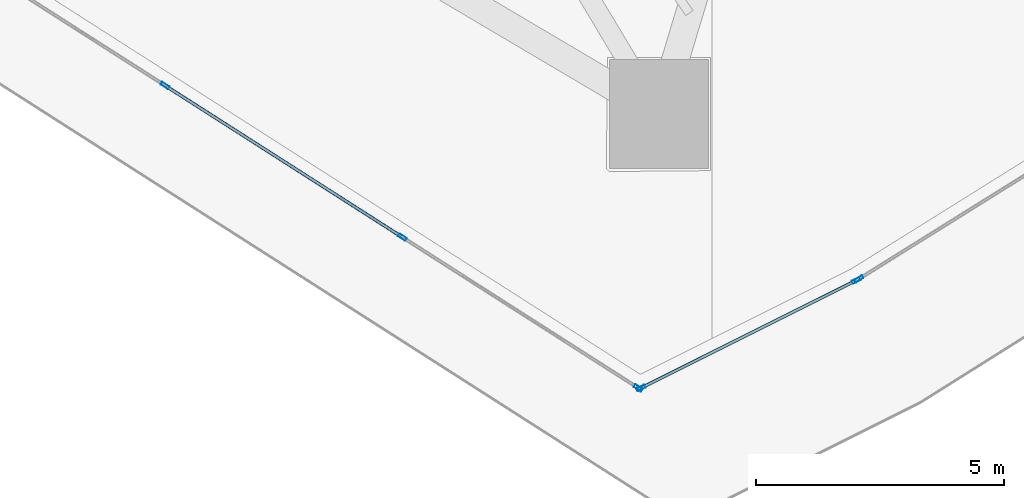
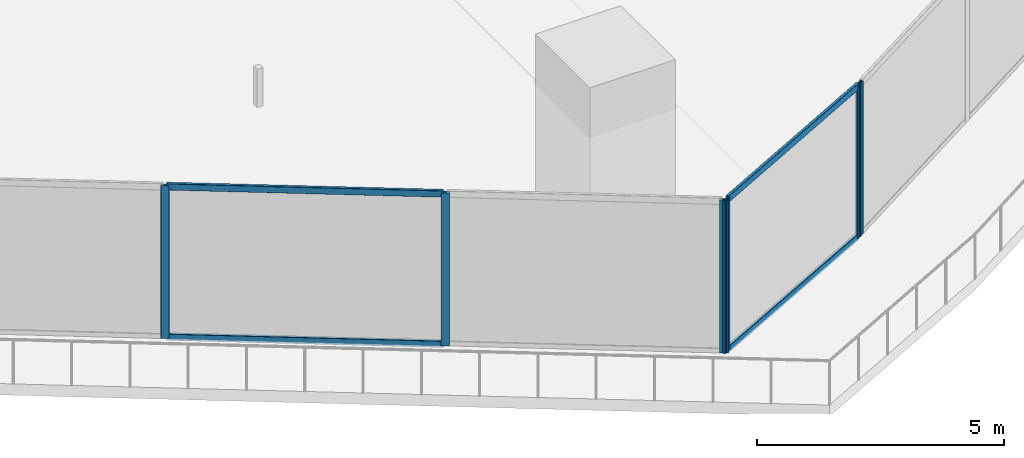
# One storey, part 6 of 35: 10 members, 3 elements without a shape of their own.
"""IFC4 building model written with IfcOpenShell, lengths in metres."""

from ifc_helpers import new_model, si_unit, direction, frame, origin, origin_2d, place, context, subcontext, project, spatial, hollow_rectangle, extrude, material, layer, layer_set, material_profile, profile_set, type_object, element, aggregate, save


model = new_model("IFC4")

# Units and contexts
model_context = context("Model", 3, precision=1e-05, world=origin(), true_north=direction((0.0, 1.0)))
body_context = subcontext(model_context, "Body", "Model", "MODEL_VIEW")
ifc_project = project(units=[si_unit("LENGTHUNIT", "METRE"), si_unit("AREAUNIT", "SQUARE_METRE"), si_unit("VOLUMEUNIT", "CUBIC_METRE"), si_unit("PLANEANGLEUNIT", "RADIAN"), si_unit("MASSUNIT", "GRAM", prefix="KILO")], contexts=[model_context])

# Site, building, storey
site_placement = place(None, origin())
site = spatial("IfcSite", under=ifc_project, at=site_placement, CompositionType="ELEMENT")
building_placement = place(site_placement, origin())
building = spatial("IfcBuilding", under=site, at=building_placement, Name="Qorvath Tower", CompositionType="ELEMENT")
storey_placement = place(building_placement, frame((0.0, 0.0, 130.050048828125)))
storey = spatial("IfcBuildingStorey", under=building, at=storey_placement, Name="L29", CompositionType="ELEMENT", Elevation=130.050048828125)

# Curtain wall, members
ifc_material_1 = material(Name="Anodised aluminium and triple low-E glass", Category="aluminium")
ifc_layer = layer(ifc_material_1, 0.179931640625)
ifc_layer_set = layer_set([ifc_layer], Name="CW-SYS-2")
curtain_wall_type = type_object("IfcCurtainWallType", Name="CW-SYS-2", PredefinedType="NOTDEFINED", material=ifc_layer_set)
curtain_wall_1_placement = place(storey_placement, origin())
curtain_wall_1 = element("IfcCurtainWall", 1, at=curtain_wall_1_placement, inside=storey, type_object=curtain_wall_type, Name="Curtain Wall CW-2 CW-T-L29-2.2", PredefinedType="NOTDEFINED")
ifc_material_2 = material(Name="Anodised aluminium 6063-T6", Category="aluminium")
ifc_material_profile_1 = material_profile(ifc_material_2, hollow_rectangle(XDim=0.06494140625, YDim=0.179931640625, WallThickness=0.00341796875, InnerFilletRadius=0.00341796875, OuterFilletRadius=0.007080078125, at=origin_2d()), Name="CWM 180x65")
ifc_profile_set_1 = profile_set([ifc_material_profile_1], Name="Anodised aluminium 6063-T6")
member_type_1 = type_object("IfcMemberType", Name="CWM-180", PredefinedType="MULLION", material=ifc_profile_set_1)
member_1_placement = place(storey_placement, frame((-25.30908203125, -24.671630859375, 0.0), z_axis=(0.0, 0.0, 1.0), x_axis=(0.538536165559, 0.84260239638, 0.0)))
member_1 = element("IfcMember", 2, at=member_1_placement, type_object=member_type_1, Name="CW-2 mullion 3", PredefinedType="MULLION", context=body_context, shape_type="SweptSolid", body=[
    extrude(hollow_rectangle(XDim=0.06494140625, YDim=0.179931640625, WallThickness=0.00341796875, InnerFilletRadius=0.00341796875, OuterFilletRadius=0.007080078125, at=origin_2d()), origin(), (0.0, 0.0, 1.0), 3.780029296875),
])
member_2_placement = place(storey_placement, frame((-20.52294921875, -27.73046875, 0.0), z_axis=(0.0, 0.0, 1.0), x_axis=(0.538536165559, 0.84260239638, 0.0)))
member_2 = element("IfcMember", 3, at=member_2_placement, type_object=member_type_1, Name="CW-2 mullion 4", PredefinedType="MULLION", context=body_context, shape_type="SweptSolid", body=[
    extrude(hollow_rectangle(XDim=0.06494140625, YDim=0.179931640625, WallThickness=0.00341796875, InnerFilletRadius=0.00341796875, OuterFilletRadius=0.007080078125, at=origin_2d()), origin(), (0.0, 0.0, 1.0), 3.780029296875),
])
member_3_placement = place(storey_placement, frame((-15.76416015625, -30.772216796875, 0.0), z_axis=(0.0, 0.0, 1.0), x_axis=(0.538536165559, 0.84260239638, 0.0)))
member_3 = element("IfcMember", 4, at=member_3_placement, type_object=member_type_1, Name="CW-2 mullion 5", PredefinedType="MULLION", context=body_context, shape_type="SweptSolid", body=[
    extrude(hollow_rectangle(XDim=0.06494140625, YDim=0.179931640625, WallThickness=0.00341796875, InnerFilletRadius=0.00341796875, OuterFilletRadius=0.007080078125, at=origin_2d()), origin(), (0.0, 0.0, 1.0), 3.780029296875),
])

curtain_wall_2_placement = place(storey_placement, origin())
curtain_wall_2 = element("IfcCurtainWall", 5, at=curtain_wall_2_placement, inside=storey, type_object=curtain_wall_type, Name="Curtain Wall CW-2 CW-T-L29-3.1", PredefinedType="NOTDEFINED")
member_4_placement = place(storey_placement, frame((-15.707763671875, -30.775146484375, 0.0), z_axis=(0.0, 0.0, 1.0), x_axis=(-0.447262398188, 0.894402787992, 0.0)))
member_4 = element("IfcMember", 6, at=member_4_placement, type_object=member_type_1, Name="CW-2 mullion 1", PredefinedType="MULLION", context=body_context, shape_type="SweptSolid", body=[
    extrude(hollow_rectangle(XDim=0.06494140625, YDim=0.179931640625, WallThickness=0.00341796875, InnerFilletRadius=0.00341796875, OuterFilletRadius=0.007080078125, at=origin_2d()), origin(), (0.0, 0.0, 1.0), 3.780029296875),
])
member_5_placement = place(storey_placement, frame((-11.367431640625, -28.604736328125, 0.0), z_axis=(0.0, 0.0, 1.0), x_axis=(-0.447262398188, 0.894402787992, 0.0)))
member_5 = element("IfcMember", 7, at=member_5_placement, type_object=member_type_1, Name="CW-2 mullion 2", PredefinedType="MULLION", context=body_context, shape_type="SweptSolid", body=[
    extrude(hollow_rectangle(XDim=0.06494140625, YDim=0.179931640625, WallThickness=0.00341796875, InnerFilletRadius=0.00341796875, OuterFilletRadius=0.007080078125, at=origin_2d()), origin(), (0.0, 0.0, 1.0), 3.780029296875),
])

# Curtain wall, member
curtain_wall_3_placement = place(storey_placement, origin())
curtain_wall_3 = element("IfcCurtainWall", 8, at=curtain_wall_3_placement, inside=storey, type_object=curtain_wall_type, Name="Curtain Wall CW-2 CW-T-L29-4.1", PredefinedType="NOTDEFINED")
member_6_placement = place(storey_placement, frame((-11.310791015625, -28.572998046875, 0.0), z_axis=(0.0, 0.0, 1.0), x_axis=(-0.529503324069, 0.84830786263, 0.0)))
member_6 = element("IfcMember", 9, at=member_6_placement, type_object=member_type_1, Name="CW-2 mullion 1", PredefinedType="MULLION", context=body_context, shape_type="SweptSolid", body=[
    extrude(hollow_rectangle(XDim=0.06494140625, YDim=0.179931640625, WallThickness=0.00341796875, InnerFilletRadius=0.00341796875, OuterFilletRadius=0.007080078125, at=origin_2d()), origin(), (0.0, 0.0, 1.0), 3.780029296875),
])
aggregate(curtain_wall_3, [member_6])

# Member
ifc_material_3 = material(Name="Anodised aluminium 6063-T6", Category="aluminium")
ifc_material_profile_2 = material_profile(ifc_material_3, hollow_rectangle(XDim=0.06494140625, YDim=0.159912109375, WallThickness=0.00341796875, InnerFilletRadius=0.00341796875, OuterFilletRadius=0.007080078125, at=origin_2d()), Name="CWT 160x65")
ifc_profile_set_2 = profile_set([ifc_material_profile_2], Name="Anodised aluminium 6063-T6")
member_type_2 = type_object("IfcMemberType", Name="CWT-160", PredefinedType="USERDEFINED", material=ifc_profile_set_2)
member_7_placement = place(storey_placement, frame((-25.28173828125, -24.68896484375, 0.032470703125), z_axis=(0.842591040449, -0.538553932819, 0.0), x_axis=(0.538553932819, 0.842591040449, 0.0)))
member_7 = element("IfcMember", 10, at=member_7_placement, type_object=member_type_2, Name="CW-2 transom 3.1", ObjectType="TRANSOM", PredefinedType="USERDEFINED", context=body_context, shape_type="SweptSolid", body=[
    extrude(hollow_rectangle(XDim=0.06494140625, YDim=0.159912109375, WallThickness=0.00341796875, InnerFilletRadius=0.00341796875, OuterFilletRadius=0.007080078125, at=origin_2d()), origin(), (0.0, 0.0, 1.0), 5.615234375),
])

member_8_placement = place(storey_placement, frame((-25.28173828125, -24.68896484375, 3.74755859375), z_axis=(0.842591040449, -0.538553932819, 0.0), x_axis=(0.538553932819, 0.842591040449, 0.0)))
member_8 = element("IfcMember", 11, at=member_8_placement, type_object=member_type_2, Name="CW-2 transom 3.2", ObjectType="TRANSOM", PredefinedType="USERDEFINED", context=body_context, shape_type="SweptSolid", body=[
    extrude(hollow_rectangle(XDim=0.06494140625, YDim=0.159912109375, WallThickness=0.00341796875, InnerFilletRadius=0.00341796875, OuterFilletRadius=0.007080078125, at=origin_2d()), origin(), (0.0, 0.0, 1.0), 5.615234375),
])

aggregate(curtain_wall_1, [member_1, member_2, member_3, member_7, member_8])

member_9_placement = place(storey_placement, frame((-15.6787109375, -30.760498046875, 0.032470703125), z_axis=(0.894406793107, 0.447254388959, 0.0), x_axis=(-0.447254388959, 0.894406793107, 0.0)))
member_9 = element("IfcMember", 12, at=member_9_placement, type_object=member_type_2, Name="CW-2 transom 1.1", ObjectType="TRANSOM", PredefinedType="USERDEFINED", context=body_context, shape_type="SweptSolid", body=[
    extrude(hollow_rectangle(XDim=0.06494140625, YDim=0.159912109375, WallThickness=0.00341796875, InnerFilletRadius=0.00341796875, OuterFilletRadius=0.007080078125, at=origin_2d()), origin(), (0.0, 0.0, 1.0), 4.787841796875),
])

member_10_placement = place(storey_placement, frame((-15.6787109375, -30.760498046875, 3.74755859375), z_axis=(0.894406793107, 0.447254388959, 0.0), x_axis=(-0.447254388959, 0.894406793107, 0.0)))
member_10 = element("IfcMember", 13, at=member_10_placement, type_object=member_type_2, Name="CW-2 transom 1.2", ObjectType="TRANSOM", PredefinedType="USERDEFINED", context=body_context, shape_type="SweptSolid", body=[
    extrude(hollow_rectangle(XDim=0.06494140625, YDim=0.159912109375, WallThickness=0.00341796875, InnerFilletRadius=0.00341796875, OuterFilletRadius=0.007080078125, at=origin_2d()), origin(), (0.0, 0.0, 1.0), 4.787841796875),
])

aggregate(curtain_wall_2, [member_4, member_5, member_9, member_10])

save(model, "model.ifc")
